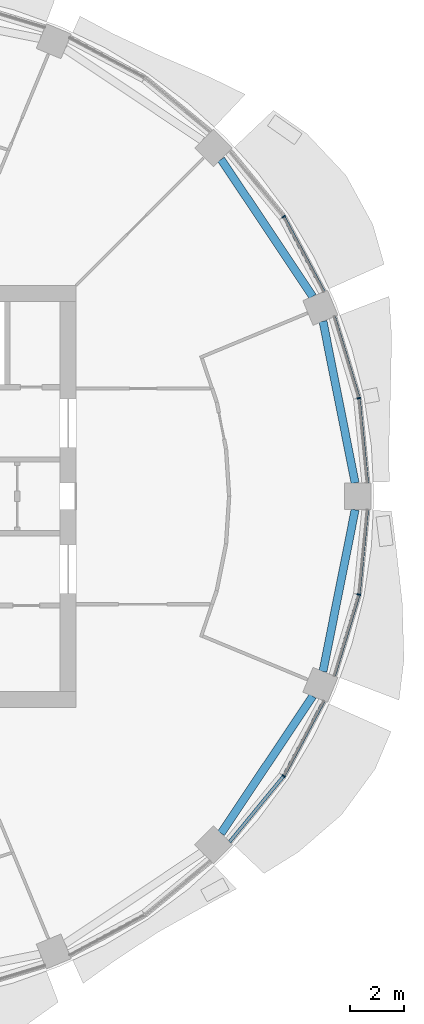
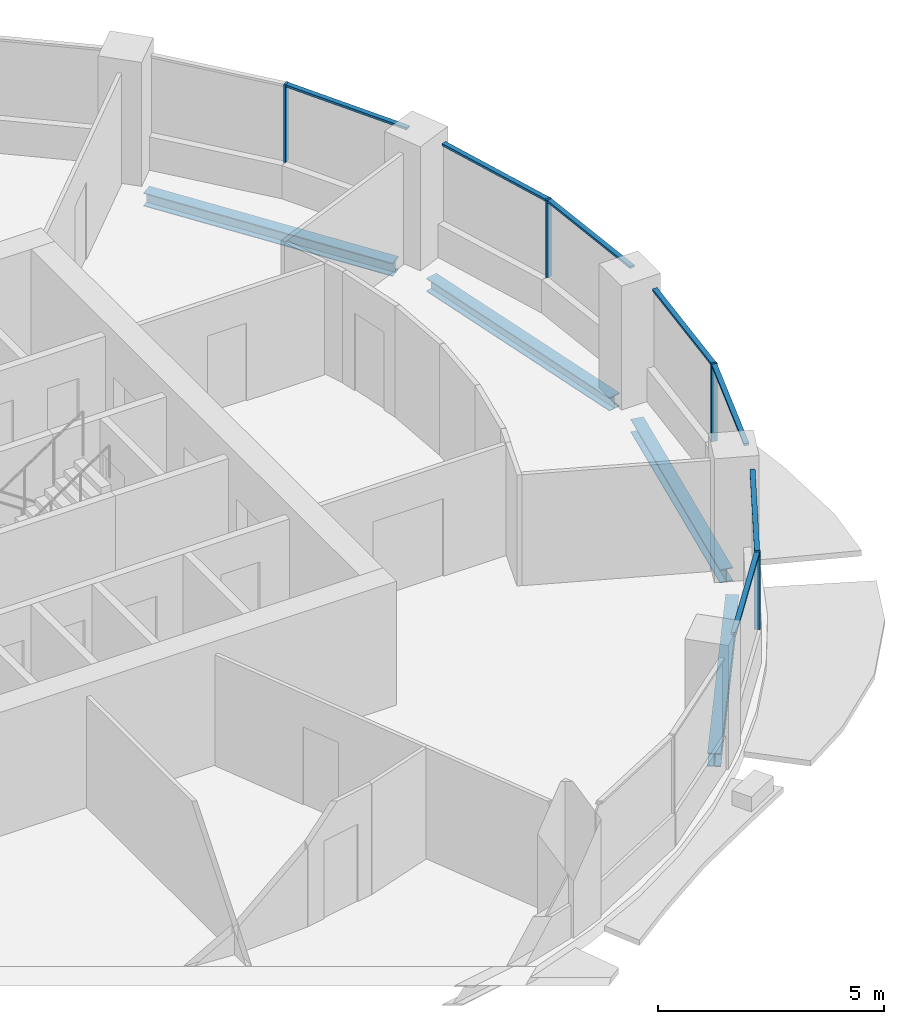
# One storey, part 5 of 15: 11 members, 4 beams, 4 elements without a shape of their own.
"""IFC4 building model written with IfcOpenShell, lengths in metres."""

from ifc_helpers import new_model, si_unit, direction, frame, origin, origin_2d, place, context, subcontext, project, spatial, rectangle, i_section, extrude, material, material_profile, profile_set, type_object, element, aggregate, save


model = new_model("IFC4")

# Units and contexts
model_context = context("Model", 3, precision=1e-05, world=origin(), true_north=direction((0.0, 1.0)))
body_context = subcontext(model_context, "Body", "Model", "MODEL_VIEW")
ifc_project = project(units=[si_unit("LENGTHUNIT", "METRE"), si_unit("AREAUNIT", "SQUARE_METRE"), si_unit("VOLUMEUNIT", "CUBIC_METRE"), si_unit("PLANEANGLEUNIT", "RADIAN"), si_unit("MASSUNIT", "GRAM", prefix="KILO")], contexts=[model_context])

# Site, building, storey
site_placement = place(None, origin())
site = spatial("IfcSite", under=ifc_project, at=site_placement, CompositionType="ELEMENT")
building_placement = place(site_placement, origin())
building = spatial("IfcBuilding", under=site, at=building_placement, Name="Polderwave Tower", CompositionType="ELEMENT")
storey_placement = place(building_placement, frame((0.0, 0.0, 131.0)))
storey = spatial("IfcBuildingStorey", under=building, at=storey_placement, Name="L34", CompositionType="ELEMENT", Elevation=131.0)

# Curtain wall, member
ifc_material_1 = material(Name="Aluminium 6063-T6 and glass", Category="aluminium")
curtain_wall_type = type_object("IfcCurtainWallType", Name="Office ribbon glazing wall", PredefinedType="NOTDEFINED", material=ifc_material_1)
curtain_wall_1_placement = place(storey_placement, origin())
curtain_wall_1 = element("IfcCurtainWall", 1, at=curtain_wall_1_placement, inside=storey, type_object=curtain_wall_type, Name="CW3 L34 00", PredefinedType="NOTDEFINED")
ifc_material_2 = material(Name="Aluminium 6063-T6", Category="aluminium")
ifc_material_profile_1 = material_profile(ifc_material_2, rectangle(XDim=0.139892578125, YDim=0.054931640625, at=origin_2d()), Name="AL 55x140")
ifc_profile_set_1 = profile_set([ifc_material_profile_1], Name="Aluminium 6063-T6")
member_type_1 = type_object("IfcMemberType", Name="Office ribbon glazing mullion 55x140", PredefinedType="MULLION", material=ifc_profile_set_1)
member_1_placement = place(storey_placement, frame((18.4189453125, 3.6640625, 0.89990234375), z_axis=(0.0, 0.0, 1.0), x_axis=(-0.980767570528, -0.195179334461, 0.0)))
member_1 = element("IfcMember", 2, at=member_1_placement, type_object=member_type_1, Name="CW3 mullion 1", PredefinedType="MULLION", context=body_context, shape_type="SweptSolid", body=[
    extrude(rectangle(XDim=0.139892578125, YDim=0.054931640625, at=origin_2d()), origin(), (0.0, 0.0, 1.0), 2.10009765625),
])

curtain_wall_2_placement = place(storey_placement, origin())
curtain_wall_2 = element("IfcCurtainWall", 3, at=curtain_wall_2_placement, inside=storey, type_object=curtain_wall_type, Name="CW3 L34 01", PredefinedType="NOTDEFINED")
member_2_placement = place(storey_placement, frame((15.614990234375, 10.43408203125, 0.89990234375), z_axis=(0.0, 0.0, 1.0), x_axis=(-0.831411428565, -0.555657301267, 0.0)))
member_2 = element("IfcMember", 4, at=member_2_placement, type_object=member_type_1, Name="CW3 mullion 1", PredefinedType="MULLION", context=body_context, shape_type="SweptSolid", body=[
    extrude(rectangle(XDim=0.139892578125, YDim=0.054931640625, at=origin_2d()), origin(), (0.0, 0.0, 1.0), 2.10009765625),
])

curtain_wall_3_placement = place(storey_placement, origin())
curtain_wall_3 = element("IfcCurtainWall", 5, at=curtain_wall_3_placement, inside=storey, type_object=curtain_wall_type, Name="CW3 L34 14", PredefinedType="NOTDEFINED")
member_3_placement = place(storey_placement, frame((15.614990234375, -10.43408203125, 0.89990234375), z_axis=(0.0, 0.0, 1.0), x_axis=(-0.831411428565, 0.555657301267, 0.0)))
member_3 = element("IfcMember", 6, at=member_3_placement, type_object=member_type_1, Name="CW3 mullion 1", PredefinedType="MULLION", context=body_context, shape_type="SweptSolid", body=[
    extrude(rectangle(XDim=0.139892578125, YDim=0.054931640625, at=origin_2d()), origin(), (0.0, 0.0, 1.0), 2.10009765625),
])

curtain_wall_4_placement = place(storey_placement, origin())
curtain_wall_4 = element("IfcCurtainWall", 7, at=curtain_wall_4_placement, inside=storey, type_object=curtain_wall_type, Name="CW3 L34 15", PredefinedType="NOTDEFINED")
member_4_placement = place(storey_placement, frame((18.4189453125, -3.6640625, 0.89990234375), z_axis=(0.0, 0.0, 1.0), x_axis=(-0.980767570528, 0.195179334461, 0.0)))
member_4 = element("IfcMember", 8, at=member_4_placement, type_object=member_type_1, Name="CW3 mullion 1", PredefinedType="MULLION", context=body_context, shape_type="SweptSolid", body=[
    extrude(rectangle(XDim=0.139892578125, YDim=0.054931640625, at=origin_2d()), origin(), (0.0, 0.0, 1.0), 2.10009765625),
])

# Member
ifc_material_profile_2 = material_profile(ifc_material_2, rectangle(XDim=0.1201171875, YDim=0.06005859375, at=origin_2d()), Name="AL 60x120")
ifc_profile_set_2 = profile_set([ifc_material_profile_2], Name="Aluminium 6063-T6")
member_type_2 = type_object("IfcMemberType", Name="Office ribbon glazing transom 60x120", PredefinedType="USERDEFINED", material=ifc_profile_set_2)
member_5_placement = place(storey_placement, frame((18.73095703125, 0.5, 2.969970703125), z_axis=(-0.09813853445, 0.995172762919, 0.0), x_axis=(-0.995172762919, -0.09813853445, 0.0)))
member_5 = element("IfcMember", 9, at=member_5_placement, type_object=member_type_2, Name="CW3 transom 1", ObjectType="TRANSOM", PredefinedType="USERDEFINED", context=body_context, shape_type="SweptSolid", body=[
    extrude(rectangle(XDim=0.1201171875, YDim=0.06005859375, at=origin_2d()), origin(), (0.0, 0.0, 1.0), 3.15185546875),
])

member_6_placement = place(storey_placement, frame((18.410888671875, 3.690185546875, 2.969970703125), z_axis=(-0.290267539602, 0.956945534215, 0.0), x_axis=(-0.956945534215, -0.290267539602, 0.0)))
member_6 = element("IfcMember", 10, at=member_6_placement, type_object=member_type_2, Name="CW3 transom 2", ObjectType="TRANSOM", PredefinedType="USERDEFINED", context=body_context, shape_type="SweptSolid", body=[
    extrude(rectangle(XDim=0.1201171875, YDim=0.06005859375, at=origin_2d()), origin(), (0.0, 0.0, 1.0), 3.151611328125),
])

aggregate(curtain_wall_1, [member_1, member_5, member_6])

member_7_placement = place(storey_placement, frame((17.114013671875, 7.6298828125, 2.969970703125), z_axis=(-0.471460363877, 0.88188725203, 0.0), x_axis=(-0.88188725203, -0.471460363877, 0.0)))
member_7 = element("IfcMember", 11, at=member_7_placement, type_object=member_type_2, Name="CW3 transom 1", ObjectType="TRANSOM", PredefinedType="USERDEFINED", context=body_context, shape_type="SweptSolid", body=[
    extrude(rectangle(XDim=0.1201171875, YDim=0.06005859375, at=origin_2d()), origin(), (0.0, 0.0, 1.0), 3.152099609375),
])

aggregate(curtain_wall_2, [member_2, member_7])

member_8_placement = place(storey_placement, frame((13.597900390625, -12.89111328125, 2.969970703125), z_axis=(0.634536204131, 0.772893139863, 0.0), x_axis=(-0.772893139863, 0.634536204131, 0.0)))
member_8 = element("IfcMember", 12, at=member_8_placement, type_object=member_type_2, Name="CW3 transom 1", ObjectType="TRANSOM", PredefinedType="USERDEFINED", context=body_context, shape_type="SweptSolid", body=[
    extrude(rectangle(XDim=0.1201171875, YDim=0.06005859375, at=origin_2d()), origin(), (0.0, 0.0, 1.0), 3.151611328125),
])

member_9_placement = place(storey_placement, frame((15.6279296875, -10.40966796875, 2.969970703125), z_axis=(0.471460363877, 0.88188725203, 0.0), x_axis=(-0.88188725203, 0.471460363877, 0.0)))
member_9 = element("IfcMember", 13, at=member_9_placement, type_object=member_type_2, Name="CW3 transom 2", ObjectType="TRANSOM", PredefinedType="USERDEFINED", context=body_context, shape_type="SweptSolid", body=[
    extrude(rectangle(XDim=0.1201171875, YDim=0.06005859375, at=origin_2d()), origin(), (0.0, 0.0, 1.0), 3.152099609375),
])

aggregate(curtain_wall_3, [member_3, member_8, member_9])

member_10_placement = place(storey_placement, frame((17.49609375, -6.7060546875, 2.969970703125), z_axis=(0.290267539602, 0.956945534215, 0.0), x_axis=(-0.956945534215, 0.290267539602, 0.0)))
member_10 = element("IfcMember", 14, at=member_10_placement, type_object=member_type_2, Name="CW3 transom 1", ObjectType="TRANSOM", PredefinedType="USERDEFINED", context=body_context, shape_type="SweptSolid", body=[
    extrude(rectangle(XDim=0.1201171875, YDim=0.06005859375, at=origin_2d()), origin(), (0.0, 0.0, 1.0), 3.151611328125),
])

member_11_placement = place(storey_placement, frame((18.421630859375, -3.63671875, 2.969970703125), z_axis=(0.09813853445, 0.995172762919, 0.0), x_axis=(-0.995172762919, 0.09813853445, 0.0)))
member_11 = element("IfcMember", 15, at=member_11_placement, type_object=member_type_2, Name="CW3 transom 2", ObjectType="TRANSOM", PredefinedType="USERDEFINED", context=body_context, shape_type="SweptSolid", body=[
    extrude(rectangle(XDim=0.1201171875, YDim=0.06005859375, at=origin_2d()), origin(), (0.0, 0.0, 1.0), 3.15185546875),
])

aggregate(curtain_wall_4, [member_4, member_10, member_11])

# Beams
ifc_material_3 = material(Name="Steel S355", Category="steel")
ifc_material_profile_3 = material_profile(ifc_material_3, i_section(OverallWidth=0.300048828125, OverallDepth=0.360107421875, WebThickness=0.012451171875, FlangeThickness=0.0224609375, at=origin_2d()), Name="HE 360 B")
ifc_profile_set_3 = profile_set([ifc_material_profile_3], Name="Steel S355")
beam_type = type_object("IfcBeamType", Name="RING BEAM HE 360 B", PredefinedType="BEAM", material=ifc_profile_set_3)
beam_1_placement = place(storey_placement, frame((18.280517578125, 0.5, -0.530029296875), z_axis=(-0.195093366566, 0.9807846748, 0.0), x_axis=(-0.9807846748, -0.195093366566, 0.0)))
element("IfcBeam", 16, at=beam_1_placement, inside=storey, type_object=beam_type, Name="ST-RB-L34-00", PredefinedType="BEAM", context=body_context, shape_type="SweptSolid", body=[
    extrude(i_section(OverallWidth=0.300048828125, OverallDepth=0.360107421875, WebThickness=0.012451171875, FlangeThickness=0.0224609375, at=origin_2d()), origin(), (0.0, 0.0, 1.0), 6.15185546875),
])
for number, where, z_axis, x_axis, name in (
    (17, (16.69775390625, 7.45751953125, -0.530029296875), (-0.555579044629, 0.831463724506, 0.0), (-0.831463724506, -0.555579044629, 0.0), "ST-RB-L34-01"),
    (18, (13.27978515625, -12.57275390625, -0.530029296875), (0.555579044629, 0.831463724506, 0.0), (-0.831463724506, 0.555579044629, 0.0), "ST-RB-L34-14"),
):
    element("IfcBeam", number, at=place(storey_placement, frame(where, z_axis=z_axis, x_axis=x_axis)), inside=storey, type_object=beam_type, Name=name, PredefinedType="BEAM", context=body_context, shape_type="SweptSolid", body=[
        extrude(i_section(OverallWidth=0.300048828125, OverallDepth=0.360107421875, WebThickness=0.012451171875, FlangeThickness=0.0224609375, at=origin_2d()), origin(), (0.0, 0.0, 1.0), 6.152099609375),
    ])
beam_2_placement = place(storey_placement, frame((17.080322265625, -6.53369140625, -0.530029296875), z_axis=(0.195093366566, 0.9807846748, 0.0), x_axis=(-0.9807846748, 0.195093366566, 0.0)))
element("IfcBeam", 19, at=beam_2_placement, inside=storey, type_object=beam_type, Name="ST-RB-L34-15", PredefinedType="BEAM", context=body_context, shape_type="SweptSolid", body=[
    extrude(i_section(OverallWidth=0.300048828125, OverallDepth=0.360107421875, WebThickness=0.012451171875, FlangeThickness=0.0224609375, at=origin_2d()), origin(), (0.0, 0.0, 1.0), 6.15185546875),
])

save(model, "model.ifc")
